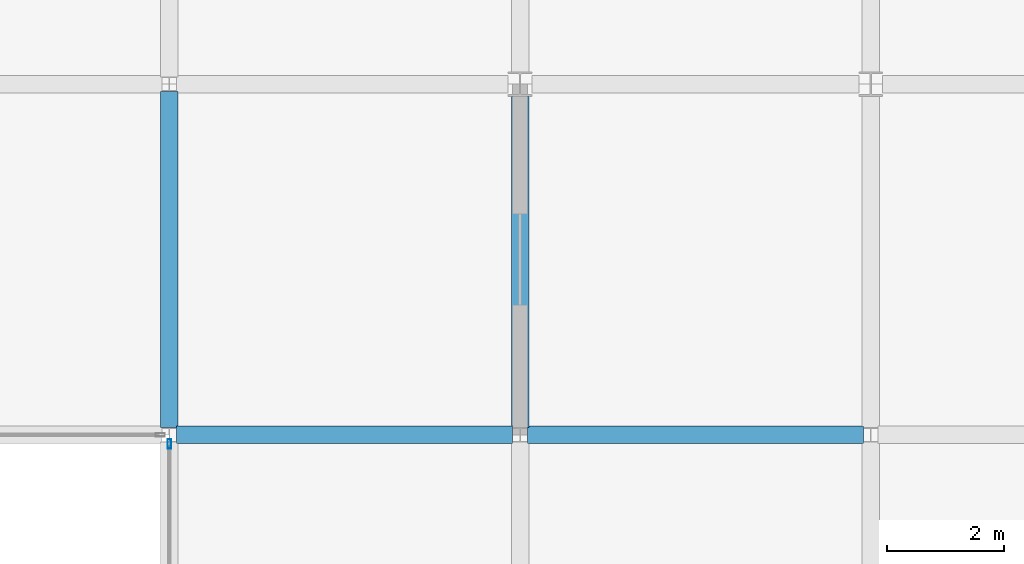
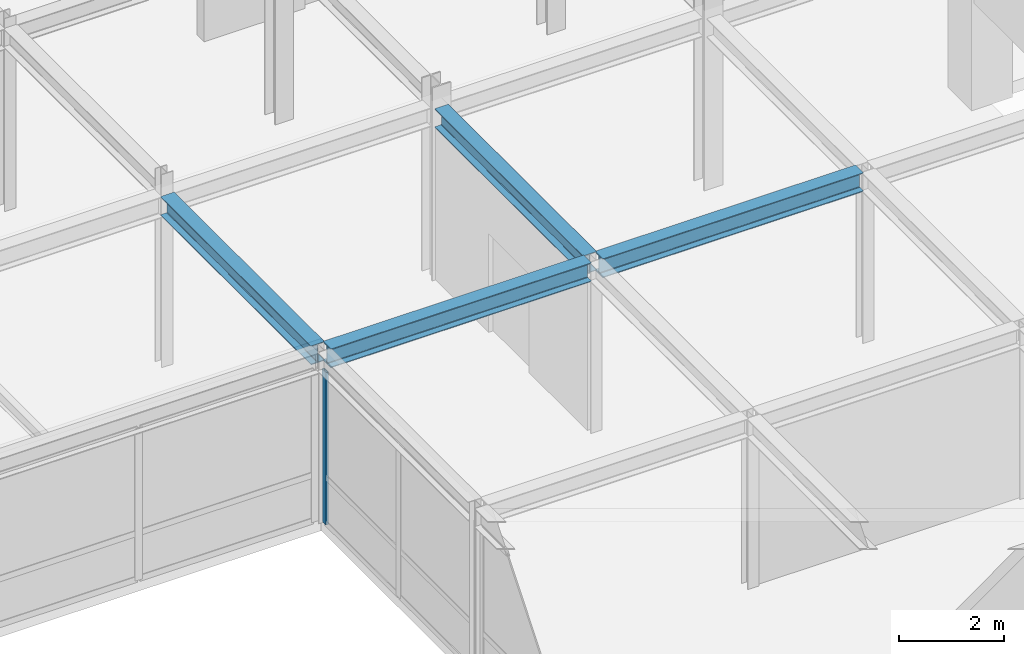
# One storey, part 76 of 111: 4 beams, 1 member, 1 element without a shape of its own.
"""IFC4 building model written with IfcOpenShell, lengths in metres."""

from ifc_helpers import new_model, si_unit, direction, frame, origin, origin_2d, place, context, subcontext, project, spatial, hollow_rectangle, i_section, extrude, material, layer, layer_set, material_profile, profile_set, type_object, element, aggregate, save


model = new_model("IFC4")

# Units and contexts
model_context = context("Model", 3, precision=1e-05, world=origin(), true_north=direction((0.0, 1.0)))
body_context = subcontext(model_context, "Body", "Model", "MODEL_VIEW")
ifc_project = project(units=[si_unit("LENGTHUNIT", "METRE"), si_unit("AREAUNIT", "SQUARE_METRE"), si_unit("VOLUMEUNIT", "CUBIC_METRE"), si_unit("PLANEANGLEUNIT", "RADIAN"), si_unit("MASSUNIT", "GRAM", prefix="KILO")], contexts=[model_context])

# Site, building, storey
site_placement = place(None, origin())
site = spatial("IfcSite", under=ifc_project, at=site_placement, CompositionType="ELEMENT")
building_placement = place(site_placement, origin())
building = spatial("IfcBuilding", under=site, at=building_placement, Name="Zlatovratsky Civic Hall", CompositionType="ELEMENT")
storey_placement = place(building_placement, frame((0.0, 0.0, 16.5)))
storey = spatial("IfcBuildingStorey", under=building, at=storey_placement, Name="L04", CompositionType="ELEMENT", Elevation=16.5)

# Beams
ifc_material_1 = material(Name="Steel S355", Category="steel")
ifc_material_profile_1 = material_profile(ifc_material_1, i_section(OverallWidth=0.300048828125, OverallDepth=0.43994140625, WebThickness=0.010986328125, FlangeThickness=0.01806640625, FilletRadius=0.02197265625, at=origin_2d()), Name="45Sh1")
ifc_profile_set_1 = profile_set([ifc_material_profile_1], Name="Steel S355")
beam_type = type_object("IfcBeamType", Name="Beam_TowerLow_45Sh1", PredefinedType="BEAM", material=ifc_profile_set_1)
for number, where, z_axis, x_axis, name in (
    (1, (48.125, 66.0, 3.780029296875), (1.0, 0.0, 0.0), (0.0, 1.0, 0.0), "BM-3335"),
    (2, (54.125, 66.0, 3.780029296875), (1.0, 0.0, 0.0), (0.0, 1.0, 0.0), "BM-3336"),
    (3, (48.0, 66.125, 3.780029296875), (0.0, 1.0, 0.0), (-1.0, 0.0, 0.0), "BM-3594"),
):
    element("IfcBeam", number, at=place(storey_placement, frame(where, z_axis=z_axis, x_axis=x_axis)), inside=storey, type_object=beam_type, Name=name, PredefinedType="BEAM", context=body_context, shape_type="SweptSolid", body=[
        extrude(i_section(OverallWidth=0.300048828125, OverallDepth=0.43994140625, WebThickness=0.010986328125, FlangeThickness=0.01806640625, FilletRadius=0.02197265625, at=origin_2d()), origin(), (0.0, 0.0, 1.0), 5.75),
    ])
beam_placement = place(storey_placement, frame((54.0, 66.125, 3.780029296875), z_axis=(0.0, 1.0, 0.0), x_axis=(-1.0, 0.0, 0.0)))
element("IfcBeam", 4, at=beam_placement, inside=storey, type_object=beam_type, Name="BM-3611", PredefinedType="BEAM", context=body_context, shape_type="SweptSolid", body=[
    extrude(i_section(OverallWidth=0.300048828125, OverallDepth=0.43994140625, WebThickness=0.010986328125, FlangeThickness=0.01806640625, FilletRadius=0.02197265625, at=origin_2d()), origin(), (0.0, 0.0, 1.0), 5.666015625),
])

# Curtain wall, member
ifc_material_2 = material(Name="Anodised bronze aluminium", Category="aluminium")
ifc_layer = layer(ifc_material_2, 0.159912109375)
ifc_layer_set = layer_set([ifc_layer], Name="Anodised bronze aluminium")
curtain_wall_type = type_object("IfcCurtainWallType", Name="CurtainWall_Bronze_5750x3550_18", PredefinedType="NOTDEFINED", material=ifc_layer_set)
curtain_wall_placement = place(storey_placement, origin())
curtain_wall = element("IfcCurtainWall", 5, at=curtain_wall_placement, inside=storey, type_object=curtain_wall_type, Name="CW-110", PredefinedType="NOTDEFINED")
ifc_material_profile_2 = material_profile(ifc_material_2, hollow_rectangle(XDim=0.06005859375, YDim=0.159912109375, WallThickness=0.00390625, at=origin_2d()), Name="ALU 60x160x4")
ifc_profile_set_2 = profile_set([ifc_material_profile_2], Name="Anodised bronze aluminium")
member_type = type_object("IfcMemberType", Name="CW_Mullion_60x160", PredefinedType="MULLION", material=ifc_profile_set_2)
member_placement = place(storey_placement, frame((48.0, 65.844970703125, 0.0), z_axis=(0.0, 0.0, 1.0), x_axis=(-1.0, 0.0, 0.0)))
member = element("IfcMember", 6, at=member_placement, type_object=member_type, Name="CW-18 mullion 3", PredefinedType="MULLION", context=body_context, shape_type="SweptSolid", body=[
    extrude(hollow_rectangle(XDim=0.06005859375, YDim=0.159912109375, WallThickness=0.00390625, at=origin_2d()), origin(), (0.0, 0.0, 1.0), 3.550048828125),
])
aggregate(curtain_wall, [member])

save(model, "model.ifc")
